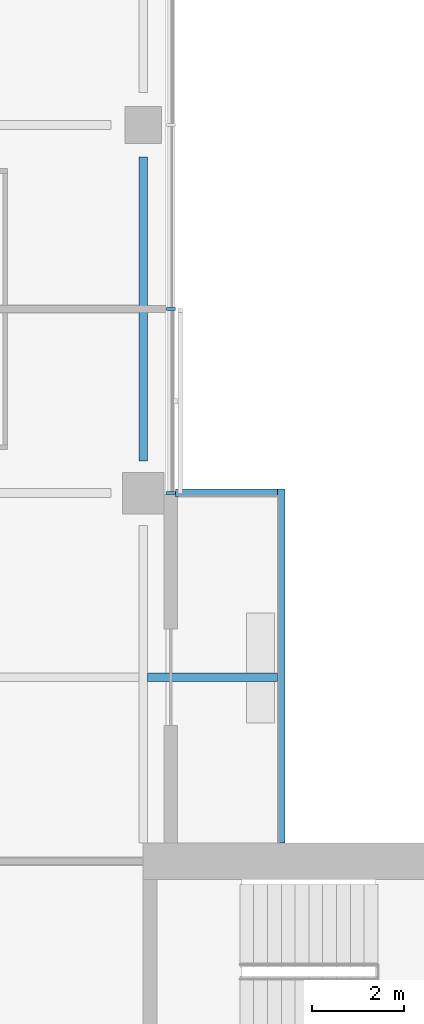
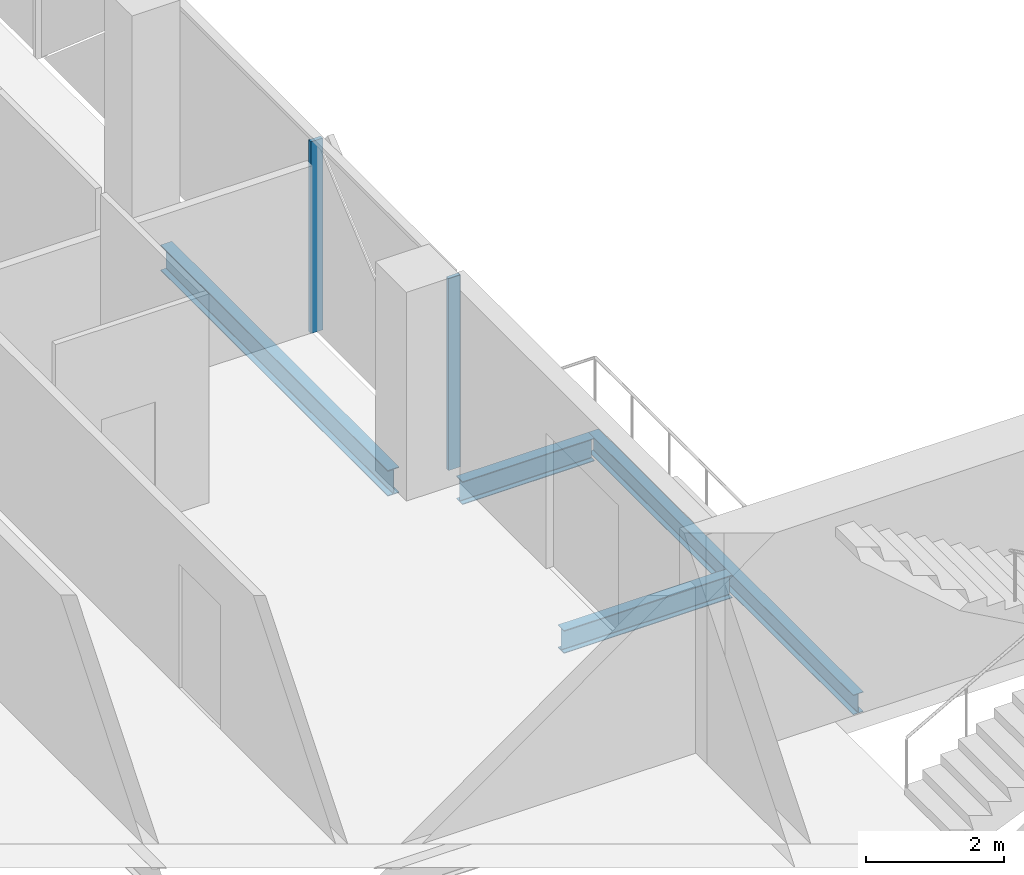
# One storey, part 9 of 25: 4 beams, 2 members, 1 element without a shape of its own.
"""IFC4 building model written with IfcOpenShell, lengths in metres."""

from ifc_helpers import new_model, si_unit, direction, frame, origin, origin_2d, place, context, subcontext, project, spatial, rectangle, i_section, extrude, material, material_profile, profile_set, type_object, element, aggregate, save


model = new_model("IFC4")

# Units and contexts
model_context = context("Model", 3, precision=1e-05, world=origin(), true_north=direction((0.0, 1.0)))
body_context = subcontext(model_context, "Body", "Model", "MODEL_VIEW")
ifc_project = project(units=[si_unit("LENGTHUNIT", "METRE"), si_unit("AREAUNIT", "SQUARE_METRE"), si_unit("VOLUMEUNIT", "CUBIC_METRE"), si_unit("PLANEANGLEUNIT", "RADIAN"), si_unit("MASSUNIT", "GRAM", prefix="KILO")], contexts=[model_context])

# Site, building, storey
site_placement = place(None, origin())
site = spatial("IfcSite", under=ifc_project, at=site_placement, CompositionType="ELEMENT")
building_placement = place(site_placement, origin())
building = spatial("IfcBuilding", under=site, at=building_placement, Name="Crosswind Convention Tower", CompositionType="ELEMENT")
storey_placement = place(building_placement, frame((0.0, 0.0, 97.89990234375)))
storey = spatial("IfcBuildingStorey", under=building, at=storey_placement, Name="L19", CompositionType="ELEMENT", Elevation=97.89990234375)

# Beams
ifc_material_1 = material(Name="Steel S355", Category="steel")
ifc_material_profile_1 = material_profile(ifc_material_1, i_section(OverallWidth=0.177734375, OverallDepth=0.406494140625, WebThickness=0.0078125, FlangeThickness=0.0126953125, FilletRadius=0.01025390625, at=origin_2d()), Name="UB 406x178x60")
ifc_profile_set_1 = profile_set([ifc_material_profile_1], Name="Steel S355")
beam_type_1 = type_object("IfcBeamType", Name="Balcony cantilever UB 406x178x60", PredefinedType="BEAM", material=ifc_profile_set_1)
beam_1_placement = place(storey_placement, frame((137.09521484375, 116.0, -0.483154296875), z_axis=(1.0, 0.0, 0.0), x_axis=(0.0, 1.0, 0.0)))
element("IfcBeam", 1, at=beam_1_placement, inside=storey, type_object=beam_type_1, Name="B35 L19 balcony cantilever NE 1", PredefinedType="BEAM", context=body_context, shape_type="SweptSolid", body=[
    extrude(i_section(OverallWidth=0.177734375, OverallDepth=0.406494140625, WebThickness=0.0078125, FlangeThickness=0.0126953125, FilletRadius=0.01025390625, at=origin_2d()), origin(), (0.0, 0.0, 1.0), 2.8193359375),
])
beam_2_placement = place(storey_placement, frame((137.699951171875, 120.0, -0.483154296875), z_axis=(1.0, 0.0, 0.0), x_axis=(0.0, 1.0, 0.0)))
element("IfcBeam", 2, at=beam_2_placement, inside=storey, type_object=beam_type_1, Name="B35 L19 balcony cantilever NE 2", PredefinedType="BEAM", context=body_context, shape_type="SweptSolid", body=[
    extrude(i_section(OverallWidth=0.177734375, OverallDepth=0.406494140625, WebThickness=0.0078125, FlangeThickness=0.0126953125, FilletRadius=0.01025390625, at=origin_2d()), origin(), (0.0, 0.0, 1.0), 2.214599609375),
])
ifc_material_profile_2 = material_profile(ifc_material_1, i_section(OverallWidth=0.1708984375, OverallDepth=0.35205078125, WebThickness=0.0068359375, FlangeThickness=0.009765625, FilletRadius=0.01025390625, at=origin_2d()), Name="UB 356x171x45")
ifc_profile_set_2 = profile_set([ifc_material_profile_2], Name="Steel S355")
beam_type_2 = type_object("IfcBeamType", Name="Balcony edge beam UB 356x171x45", PredefinedType="BEAM", material=ifc_profile_set_2)
beam_3_placement = place(storey_placement, frame((140.0, 112.39990234375, -0.455810546875), z_axis=(0.0, 1.0, 0.0), x_axis=(-1.0, 0.0, 0.0)))
element("IfcBeam", 3, at=beam_3_placement, inside=storey, type_object=beam_type_2, Name="B37 L19 balcony edge beam NE 3", PredefinedType="BEAM", context=body_context, shape_type="SweptSolid", body=[
    extrude(i_section(OverallWidth=0.1708984375, OverallDepth=0.35205078125, WebThickness=0.0068359375, FlangeThickness=0.009765625, FilletRadius=0.01025390625, at=origin_2d()), origin(), (0.0, 0.0, 1.0), 7.68896484375),
])
ifc_material_profile_3 = material_profile(ifc_material_1, i_section(OverallWidth=0.1904296875, OverallDepth=0.457275390625, WebThickness=0.009033203125, FlangeThickness=0.014404296875, FilletRadius=0.01025390625, at=origin_2d()), Name="UB 457x191x75")
ifc_profile_set_3 = profile_set([ifc_material_profile_3], Name="Steel S355")
beam_type_3 = type_object("IfcBeamType", Name="Edge beam UB 457x191x75", PredefinedType="SPANDREL", material=ifc_profile_set_3)
beam_4_placement = place(storey_placement, frame((137.0, 120.699951171875, -0.508544921875), z_axis=(0.0, 1.0, 0.0), x_axis=(-1.0, 0.0, 0.0)))
element("IfcBeam", 4, at=beam_4_placement, inside=storey, type_object=beam_type_3, Name="B17 L19 edge beam 22", PredefinedType="SPANDREL", context=body_context, shape_type="SweptSolid", body=[
    extrude(i_section(OverallWidth=0.1904296875, OverallDepth=0.457275390625, WebThickness=0.009033203125, FlangeThickness=0.014404296875, FilletRadius=0.01025390625, at=origin_2d()), origin(), (0.0, 0.0, 1.0), 6.60009765625),
])

# Curtain wall, members
ifc_material_2 = material(Name="Aluminium unitised curtain wall", Category="aluminium")
curtain_wall_type = type_object("IfcCurtainWallType", Name="HOTEL UNITISED WALL 200", PredefinedType="USERDEFINED", material=ifc_material_2)
curtain_wall_placement = place(storey_placement, origin())
curtain_wall = element("IfcCurtainWall", 5, at=curtain_wall_placement, inside=storey, type_object=curtain_wall_type, Name="CW2 L19 N-E 1", ObjectType="UNITISED", PredefinedType="USERDEFINED")
ifc_material_3 = material(Name="Aluminium mullion", Category="aluminium")
ifc_material_profile_4 = material_profile(ifc_material_3, rectangle(XDim=0.199951171875, YDim=0.06494140625, at=origin_2d()), Name="AL 200X65")
ifc_profile_set_4 = profile_set([ifc_material_profile_4], Name="Aluminium mullion")
member_type = type_object("IfcMemberType", Name="MULLION 65X200", PredefinedType="MULLION", material=ifc_profile_set_4)
member_1_placement = place(storey_placement, frame((137.60009765625, 120.0, -0.044921875), z_axis=(0.0, 0.0, 1.0), x_axis=(1.0, 0.0, 0.0)))
member_1 = element("IfcMember", 6, at=member_1_placement, type_object=member_type, Name="CW2 mullion 1", PredefinedType="MULLION", context=body_context, shape_type="SweptSolid", body=[
    extrude(rectangle(XDim=0.199951171875, YDim=0.06494140625, at=origin_2d()), origin(), (0.0, 0.0, 1.0), 3.39990234375),
])
member_2_placement = place(storey_placement, frame((137.60009765625, 124.0, -0.044921875), z_axis=(0.0, 0.0, 1.0), x_axis=(1.0, 0.0, 0.0)))
member_2 = element("IfcMember", 7, at=member_2_placement, type_object=member_type, Name="CW2 mullion 2", PredefinedType="MULLION", context=body_context, shape_type="SweptSolid", body=[
    extrude(rectangle(XDim=0.199951171875, YDim=0.06494140625, at=origin_2d()), origin(), (0.0, 0.0, 1.0), 3.39990234375),
])
aggregate(curtain_wall, [member_1, member_2])

save(model, "model.ifc")
